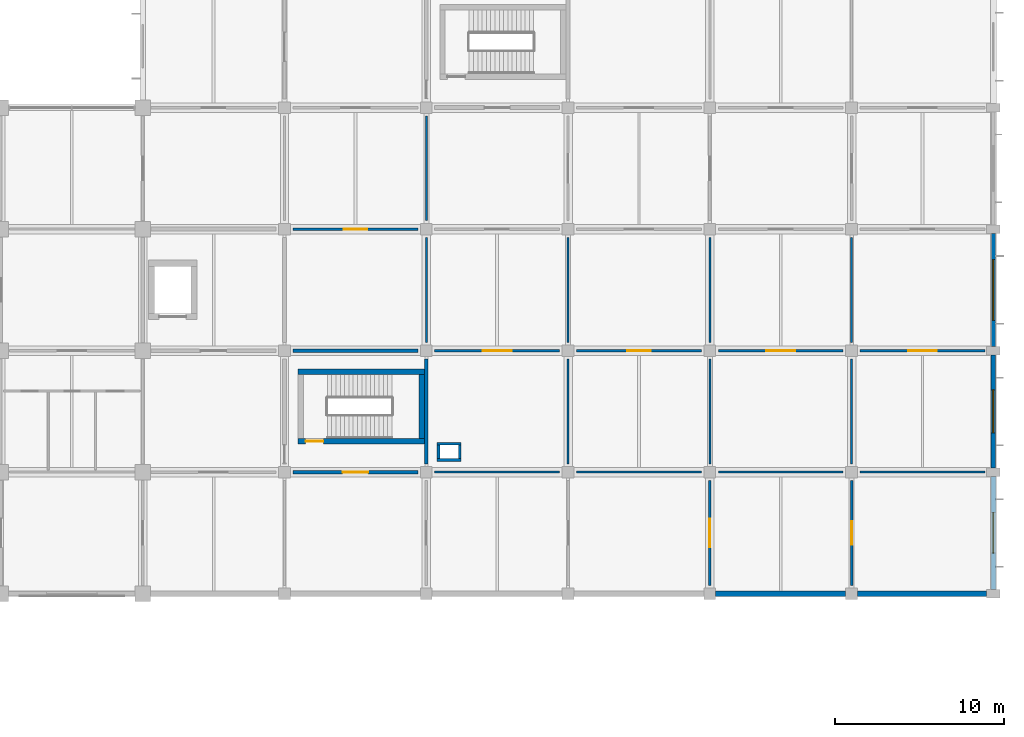
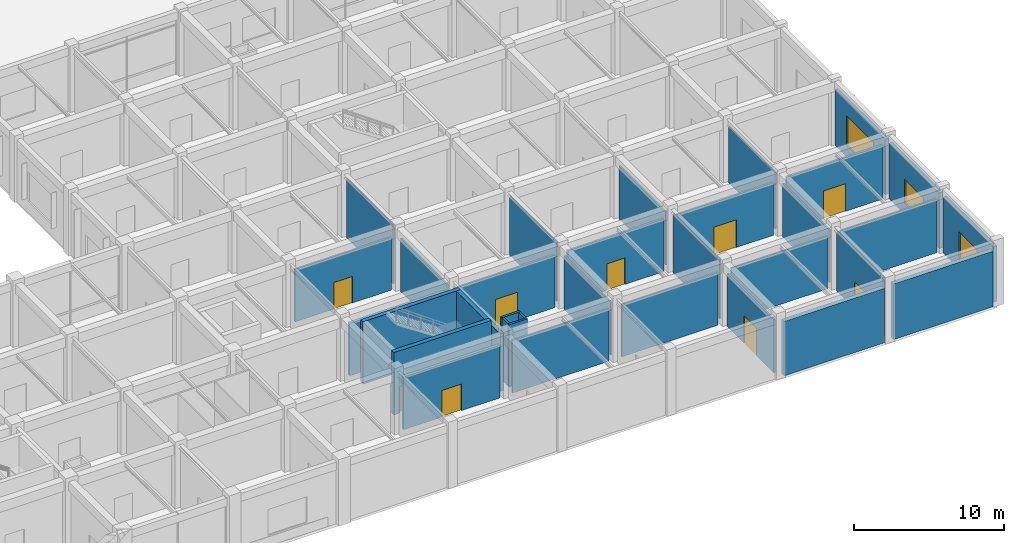
# One storey, part 28 of 41: 34 walls, 9 doors, 3 windows, 12 openings.
"""IFC4 building model written with IfcOpenShell, lengths in metres."""

from ifc_helpers import new_model, si_unit, derived_unit, direction, frame, frame_2d, origin, place, context, subcontext, project, spatial, rectangle, extrude, material, layer, layer_set, type_object, element, fill, save


model = new_model("IFC4")

# Units and contexts
model_context = context("Model", 3, precision=1e-05, world=origin(), true_north=direction((0.0, 1.0)))
body_context = subcontext(model_context, "Body", "Model", "MODEL_VIEW")
ifc_project = project(units=[si_unit("LENGTHUNIT", "METRE"), si_unit("AREAUNIT", "SQUARE_METRE"), si_unit("VOLUMEUNIT", "CUBIC_METRE"), si_unit("PLANEANGLEUNIT", "RADIAN"), si_unit("MASSUNIT", "GRAM", prefix="KILO"), derived_unit("THERMALTRANSMITTANCEUNIT", [(si_unit("MASSUNIT", "GRAM", prefix="KILO"), 1), (si_unit("TIMEUNIT", "SECOND"), -3), (si_unit("THERMODYNAMICTEMPERATUREUNIT", "KELVIN"), -1)])], contexts=[model_context])

# Site, building, storey
site_placement = place(None, origin())
site = spatial("IfcSite", under=ifc_project, at=site_placement, CompositionType="ELEMENT")
building_placement = place(site_placement, origin())
building = spatial("IfcBuilding", under=site, at=building_placement, Name="Veldstrom Oceanarium and Marine Research Institute", CompositionType="ELEMENT")
storey_placement = place(building_placement, frame((0.0, 0.0, 6.0)))
storey = spatial("IfcBuildingStorey", under=building, at=storey_placement, Name="L01", CompositionType="ELEMENT", Elevation=6.0)

# Wall, opening, window
ifc_material_1 = material(Name="Masonry Cavity Wall", Category="masonry")
ifc_layer_1 = layer(ifc_material_1, 0.2900390625)
ifc_layer_set_1 = layer_set([ifc_layer_1], Name="ARC-WAL-EW2")
wall_type_1 = type_object("IfcWallType", Name="ARC-WAL-EW2", PredefinedType="SOLIDWALL", material=ifc_layer_set_1)
wall_1_placement = place(storey_placement, frame((168.0, 43.449951171875, 0.0), z_axis=(0.0, 0.0, 1.0), x_axis=(0.0, 1.0, 0.0)))
wall_1 = element("IfcWall", 1, at=wall_1_placement, inside=storey, type_object=wall_type_1, Name="Exterior Facade Wall EW2 L01-108", PredefinedType="SOLIDWALL", context=body_context, shape_type="SweptSolid", body=[
    extrude(rectangle(XDim=6.699951171875, YDim=0.2900390625, at=frame_2d((3.35009765625, 0.0))), origin(), (0.0, 0.0, 1.0), 4.52001953125),
])
opening_1_placement = place(wall_1_placement, frame((2.14990234375, 0.0, 0.89990234375)))
opening_1 = element("IfcOpeningElement", 2, at=opening_1_placement, cuts=wall_1, Name="Opening W09", PredefinedType="OPENING", context=body_context, shape_type="SweptSolid", body=[
    extrude(rectangle(XDim=2.39990234375, YDim=2.10009765625, at=frame_2d((1.199951171875, 1.050048828125))), frame((0.0, 0.155029296875, 0.0), z_axis=(0.0, -1.0, 0.0), x_axis=(1.0, 0.0, 0.0)), (0.0, 0.0, 1.0), 0.31005859375),
])
ifc_material_2 = material(Name="Double Glazed Low-E IGU", Category="glass")
window_type_1 = type_object("IfcWindowType", Name="ARC-WIN-W09", PartitioningType="SINGLE_PANEL", PredefinedType="WINDOW", material=ifc_material_2)
window_1_placement = place(opening_1_placement, origin())
window_1 = element("IfcWindow", 3, at=window_1_placement, inside=storey, type_object=window_type_1, Name="Facade Window W09 L01-0073", OverallHeight=2.10009765625, OverallWidth=2.39990234375, PartitioningType="SINGLE_PANEL", PredefinedType="WINDOW", context=body_context, shape_type="SweptSolid", body=[
    extrude(rectangle(XDim=2.39990234375, YDim=2.10009765625, at=frame_2d((1.199951171875, 1.050048828125))), frame((0.0, 0.030029296875, 0.0), z_axis=(0.0, -1.0, 0.0), x_axis=(1.0, 0.0, 0.0)), (0.0, 0.0, 1.0), 0.06005859375),
])
fill(opening_1, window_1)

ifc_material_3 = material(Name="Masonry Cavity Wall", Category="masonry")
ifc_layer_2 = layer(ifc_material_3, 0.27001953125)
ifc_layer_set_2 = layer_set([ifc_layer_2], Name="ARC-WAL-EW3")
wall_type_2 = type_object("IfcWallType", Name="ARC-WAL-EW3", PredefinedType="SOLIDWALL", material=ifc_layer_set_2)
wall_2_placement = place(storey_placement, frame((168.0, 50.64990234375, 0.0), z_axis=(0.0, 0.0, 1.0), x_axis=(0.0, 1.0, 0.0)))
wall_2 = element("IfcWall", 4, at=wall_2_placement, inside=storey, type_object=wall_type_2, Name="Exterior Facade Wall EW3 L01-109", PredefinedType="SOLIDWALL", context=body_context, shape_type="SweptSolid", body=[
    extrude(rectangle(XDim=6.7001953125, YDim=0.27001953125, at=frame_2d((3.35009765625, 0.0))), origin(), (0.0, 0.0, 1.0), 4.52001953125),
])
opening_2_placement = place(wall_2_placement, frame((2.074951171875, 0.0, 0.89990234375)))
opening_2 = element("IfcOpeningElement", 5, at=opening_2_placement, cuts=wall_2, Name="Opening W20", PredefinedType="OPENING", context=body_context, shape_type="SweptSolid", body=[
    extrude(rectangle(XDim=2.550048828125, YDim=1.949951171875, at=frame_2d((1.27490234375, 0.97509765625))), frame((0.0, 0.14501953125, 0.0), z_axis=(0.0, -1.0, 0.0), x_axis=(1.0, 0.0, 0.0)), (0.0, 0.0, 1.0), 0.2900390625),
])
ifc_material_4 = material(Name="Double Glazed Low-E IGU", Category="glass")
window_type_2 = type_object("IfcWindowType", Name="ARC-WIN-W20", PartitioningType="SINGLE_PANEL", PredefinedType="WINDOW", material=ifc_material_4)
window_2_placement = place(opening_2_placement, origin())
window_2 = element("IfcWindow", 6, at=window_2_placement, inside=storey, type_object=window_type_2, Name="Facade Window W20 L01-0074", OverallHeight=1.949951171875, OverallWidth=2.550048828125, PartitioningType="SINGLE_PANEL", PredefinedType="WINDOW", context=body_context, shape_type="SweptSolid", body=[
    extrude(rectangle(XDim=2.550048828125, YDim=1.949951171875, at=frame_2d((1.27490234375, 0.97509765625))), frame((0.0, 0.030029296875, 0.0), z_axis=(0.0, -1.0, 0.0), x_axis=(1.0, 0.0, 0.0)), (0.0, 0.0, 1.0), 0.06005859375),
])
fill(opening_2, window_2)

# Walls
ifc_material_5 = material(Name="Masonry Cavity Wall", Category="masonry")
ifc_layer_3 = layer(ifc_material_5, 0.340087890625)
ifc_layer_set_3 = layer_set([ifc_layer_3], Name="ARC-WAL-EW4")
wall_type_3 = type_object("IfcWallType", Name="ARC-WAL-EW4", PredefinedType="SOLIDWALL", material=ifc_layer_set_3)
wall_3_placement = place(storey_placement, frame((151.550048828125, 43.199951171875, 0.0), z_axis=(0.0, 0.0, 1.0), x_axis=(1.0, 0.0, 0.0)))
element("IfcWall", 7, at=wall_3_placement, inside=storey, type_object=wall_type_3, Name="Exterior Facade Wall EW4 L01-105", PredefinedType="SOLIDWALL", context=body_context, shape_type="SweptSolid", body=[
    extrude(rectangle(XDim=7.699951171875, YDim=0.340087890625, at=frame_2d((3.85009765625, 0.0))), origin(), (0.0, 0.0, 1.0), 4.419921875),
])
wall_4_placement = place(storey_placement, frame((159.949951171875, 43.199951171875, 0.0), z_axis=(0.0, 0.0, 1.0), x_axis=(1.0, 0.0, 0.0)))
element("IfcWall", 8, at=wall_4_placement, inside=storey, type_object=wall_type_3, Name="Exterior Facade Wall EW4 L01-107", PredefinedType="SOLIDWALL", context=body_context, shape_type="SweptSolid", body=[
    extrude(rectangle(XDim=7.650146484375, YDim=0.340087890625, at=frame_2d((3.8251953125, 0.0))), origin(), (0.0, 0.0, 1.0), 4.52001953125),
])

# Wall, opening, window
ifc_material_6 = material(Name="Masonry Cavity Wall", Category="masonry")
ifc_layer_4 = layer(ifc_material_6, 0.25)
ifc_layer_set_4 = layer_set([ifc_layer_4], Name="ARC-WAL-EW5")
wall_type_4 = type_object("IfcWallType", Name="ARC-WAL-EW5", PredefinedType="SOLIDWALL", material=ifc_layer_set_4)
wall_5_placement = place(storey_placement, frame((168.0, 57.85009765625, 0.0), z_axis=(0.0, 0.0, 1.0), x_axis=(0.0, 1.0, 0.0)))
wall_5 = element("IfcWall", 9, at=wall_5_placement, inside=storey, type_object=wall_type_4, Name="Exterior Facade Wall EW5 L01-110", PredefinedType="SOLIDWALL", context=body_context, shape_type="SweptSolid", body=[
    extrude(rectangle(XDim=6.699951171875, YDim=0.25, at=frame_2d((3.35009765625, 0.0))), origin(), (0.0, 0.0, 1.0), 4.52001953125),
])
opening_3_placement = place(wall_5_placement, frame((1.550048828125, 0.0, 0.89990234375)))
opening_3 = element("IfcOpeningElement", 10, at=opening_3_placement, cuts=wall_5, Name="Opening W11", PredefinedType="OPENING", context=body_context, shape_type="SweptSolid", body=[
    extrude(rectangle(XDim=3.60009765625, YDim=2.39990234375, at=frame_2d((1.800048828125, 1.199951171875))), frame((0.0, 0.135009765625, 0.0), z_axis=(0.0, -1.0, 0.0), x_axis=(1.0, 0.0, 0.0)), (0.0, 0.0, 1.0), 0.27001953125),
])
ifc_material_7 = material(Name="Double Glazed Low-E IGU", Category="glass")
window_type_3 = type_object("IfcWindowType", Name="ARC-WIN-W11", PartitioningType="SINGLE_PANEL", PredefinedType="WINDOW", material=ifc_material_7)
window_3_placement = place(opening_3_placement, origin())
window_3 = element("IfcWindow", 11, at=window_3_placement, inside=storey, type_object=window_type_3, Name="Facade Window W11 L01-0075", OverallHeight=2.39990234375, OverallWidth=3.60009765625, PartitioningType="SINGLE_PANEL", PredefinedType="WINDOW", context=body_context, shape_type="SweptSolid", body=[
    extrude(rectangle(XDim=3.60009765625, YDim=2.39990234375, at=frame_2d((1.800048828125, 1.199951171875))), frame((0.0, 0.030029296875, 0.0), z_axis=(0.0, -1.0, 0.0), x_axis=(1.0, 0.0, 0.0)), (0.0, 0.0, 1.0), 0.06005859375),
])
fill(opening_3, window_3)

# Wall, opening, door
ifc_material_8 = material(Name="Masonry Fire Compartment Wall", Category="masonry")
ifc_layer_5 = layer(ifc_material_8, 0.22998046875)
ifc_layer_set_5 = layer_set([ifc_layer_5], Name="ARC-WAL-PT1")
wall_type_5 = type_object("IfcWallType", Name="ARC-WAL-PT1", PredefinedType="PARTITIONING", material=ifc_layer_set_5)
wall_6_placement = place(storey_placement, frame((126.5, 50.39990234375, 0.0), z_axis=(0.0, 0.0, 1.0), x_axis=(1.0, 0.0, 0.0)))
wall_6 = element("IfcWall", 12, at=wall_6_placement, inside=storey, type_object=wall_type_5, Name="Interior Partition PT1 L01-0999", PredefinedType="PARTITIONING", context=body_context, shape_type="SweptSolid", body=[
    extrude(rectangle(XDim=7.39990234375, YDim=0.22998046875, at=frame_2d((3.699951171875, 0.0))), origin(), (0.0, 0.0, 1.0), 4.27001953125),
])
opening_4_placement = place(wall_6_placement, frame((2.949951171875, 0.0, 0.0)))
opening_4 = element("IfcOpeningElement", 13, at=opening_4_placement, cuts=wall_6, Name="Opening D-L01-580", PredefinedType="OPENING", context=body_context, shape_type="SweptSolid", body=[
    extrude(rectangle(XDim=1.5, YDim=2.14990234375, at=frame_2d((0.75, 1.074951171875))), frame((0.0, 0.125, 0.0), z_axis=(0.0, -1.0, 0.0), x_axis=(1.0, 0.0, 0.0)), (0.0, 0.0, 1.0), 0.25),
])
ifc_material_9 = material(Name="Painted Steel Lobby Fire Door", Category="steel")
door_type_1 = type_object("IfcDoorType", Name="ARC-DOR-SD2", OperationType="DOUBLE_DOOR_SINGLE_SWING", PredefinedType="DOOR", material=ifc_material_9)
door_1_placement = place(opening_4_placement, frame((1.5, 0.0, 0.0), z_axis=(0.0, 0.0, 1.0), x_axis=(-1.0, 0.0, 0.0)))
door_1 = element("IfcDoor", 14, at=door_1_placement, inside=storey, type_object=door_type_1, Name="Interior Door D-L01-580", OperationType="DOUBLE_DOOR_SINGLE_SWING", OverallHeight=2.14990234375, OverallWidth=1.5, PredefinedType="DOOR", context=body_context, shape_type="SweptSolid", body=[
    extrude(rectangle(XDim=1.5, YDim=2.14990234375, at=frame_2d((0.75, 1.074951171875))), frame((0.0, 0.02490234375, 0.0), z_axis=(0.0, -1.0, 0.0), x_axis=(1.0, 0.0, 0.0)), (0.0, 0.0, 1.0), 0.050048828125),
])
fill(opening_4, door_1)

# Walls
wall_7_placement = place(storey_placement, frame((134.39990234375, 50.89990234375, 0.0), z_axis=(0.0, 0.0, 1.0), x_axis=(0.0, 1.0, 0.0)))
element("IfcWall", 15, at=wall_7_placement, inside=storey, type_object=wall_type_5, Name="Interior Partition PT1 L01-1000", PredefinedType="PARTITIONING", context=body_context, shape_type="SweptSolid", body=[
    extrude(rectangle(XDim=6.2001953125, YDim=0.22998046875, at=frame_2d((3.10009765625, 0.0))), origin(), (0.0, 0.0, 1.0), 4.669921875),
])
wall_8_placement = place(storey_placement, frame((126.5, 57.60009765625, 0.0), z_axis=(0.0, 0.0, 1.0), x_axis=(1.0, 0.0, 0.0)))
element("IfcWall", 16, at=wall_8_placement, inside=storey, type_object=wall_type_5, Name="Interior Partition PT1 L01-1001", PredefinedType="PARTITIONING", context=body_context, shape_type="SweptSolid", body=[
    extrude(rectangle(XDim=7.39990234375, YDim=0.22998046875, at=frame_2d((3.699951171875, 0.0))), origin(), (0.0, 0.0, 1.0), 4.27001953125),
])

# Wall, opening, door
ifc_material_10 = material(Name="Drywall Corridor Partition", Category="gypsum")
ifc_layer_6 = layer(ifc_material_10, 0.155029296875)
ifc_layer_set_6 = layer_set([ifc_layer_6], Name="ARC-WAL-PT4")
wall_type_6 = type_object("IfcWallType", Name="ARC-WAL-PT4", PredefinedType="PARTITIONING", material=ifc_layer_set_6)
wall_9_placement = place(storey_placement, frame((143.300048828125, 57.60009765625, 0.0), z_axis=(0.0, 0.0, 1.0), x_axis=(1.0, 0.0, 0.0)))
wall_9 = element("IfcWall", 17, at=wall_9_placement, inside=storey, type_object=wall_type_6, Name="Interior Partition PT4 L01-1027", PredefinedType="PARTITIONING", context=body_context, shape_type="SweptSolid", body=[
    extrude(rectangle(XDim=7.39990234375, YDim=0.155029296875, at=frame_2d((3.699951171875, 0.0))), origin(), (0.0, 0.0, 1.0), 4.27001953125),
])
opening_5_placement = place(wall_9_placement, frame((3.0, 0.0, 0.0)))
opening_5 = element("IfcOpeningElement", 18, at=opening_5_placement, cuts=wall_9, Name="Opening D-L01-595", PredefinedType="OPENING", context=body_context, shape_type="SweptSolid", body=[
    extrude(rectangle(XDim=1.39990234375, YDim=2.14990234375, at=frame_2d((0.699951171875, 1.074951171875))), frame((0.0, 0.08740234375, 0.0), z_axis=(0.0, -1.0, 0.0), x_axis=(1.0, 0.0, 0.0)), (0.0, 0.0, 1.0), 0.175048828125),
])
ifc_material_11 = material(Name="Education Classroom Door", Category="timber")
door_type_2 = type_object("IfcDoorType", Name="ARC-DOR-ID04", OperationType="DOUBLE_DOOR_SINGLE_SWING", PredefinedType="DOOR", material=ifc_material_11)
door_2_placement = place(opening_5_placement, frame((1.39990234375, 0.0, 0.0), z_axis=(0.0, 0.0, 1.0), x_axis=(-1.0, 0.0, 0.0)))
door_2 = element("IfcDoor", 19, at=door_2_placement, inside=storey, type_object=door_type_2, Name="Interior Door D-L01-595", OperationType="DOUBLE_DOOR_SINGLE_SWING", OverallHeight=2.14990234375, OverallWidth=1.39990234375, PredefinedType="DOOR", context=body_context, shape_type="SweptSolid", body=[
    extrude(rectangle(XDim=1.39990234375, YDim=2.14990234375, at=frame_2d((0.699951171875, 1.074951171875))), frame((0.0, 0.02490234375, 0.0), z_axis=(0.0, -1.0, 0.0), x_axis=(1.0, 0.0, 0.0)), (0.0, 0.0, 1.0), 0.050048828125),
])
fill(opening_5, door_2)

wall_10_placement = place(storey_placement, frame((159.60009765625, 43.699951171875, 0.0), z_axis=(0.0, 0.0, 1.0), x_axis=(0.0, 1.0, 0.0)))
wall_10 = element("IfcWall", 20, at=wall_10_placement, inside=storey, type_object=wall_type_6, Name="Interior Partition PT4 L01-1037", PredefinedType="PARTITIONING", context=body_context, shape_type="SweptSolid", body=[
    extrude(rectangle(XDim=6.199951171875, YDim=0.155029296875, at=frame_2d((3.10009765625, 0.0))), origin(), (0.0, 0.0, 1.0), 4.780029296875),
])
opening_6_placement = place(wall_10_placement, frame((2.39990234375, 0.0, 0.0)))
opening_6 = element("IfcOpeningElement", 21, at=opening_6_placement, cuts=wall_10, Name="Opening D-L01-601", PredefinedType="OPENING", context=body_context, shape_type="SweptSolid", body=[
    extrude(rectangle(XDim=1.39990234375, YDim=2.14990234375, at=frame_2d((0.699951171875, 1.074951171875))), frame((0.0, 0.08740234375, 0.0), z_axis=(0.0, -1.0, 0.0), x_axis=(1.0, 0.0, 0.0)), (0.0, 0.0, 1.0), 0.175048828125),
])
door_3_placement = place(opening_6_placement, origin())
door_3 = element("IfcDoor", 22, at=door_3_placement, inside=storey, type_object=door_type_2, Name="Interior Door D-L01-601", OperationType="DOUBLE_DOOR_SINGLE_SWING", OverallHeight=2.14990234375, OverallWidth=1.39990234375, PredefinedType="DOOR", context=body_context, shape_type="SweptSolid", body=[
    extrude(rectangle(XDim=1.39990234375, YDim=2.14990234375, at=frame_2d((0.699951171875, 1.074951171875))), frame((0.0, 0.02490234375, 0.0), z_axis=(0.0, -1.0, 0.0), x_axis=(1.0, 0.0, 0.0)), (0.0, 0.0, 1.0), 0.050048828125),
])
fill(opening_6, door_3)

wall_11_placement = place(storey_placement, frame((160.10009765625, 57.60009765625, 0.0), z_axis=(0.0, 0.0, 1.0), x_axis=(1.0, 0.0, 0.0)))
wall_11 = element("IfcWall", 23, at=wall_11_placement, inside=storey, type_object=wall_type_6, Name="Interior Partition PT4 L01-1051", PredefinedType="PARTITIONING", context=body_context, shape_type="SweptSolid", body=[
    extrude(rectangle(XDim=7.39990234375, YDim=0.155029296875, at=frame_2d((3.699951171875, 0.0))), origin(), (0.0, 0.0, 1.0), 4.3701171875),
])
opening_7_placement = place(wall_11_placement, frame((2.85009765625, 0.0, 0.0)))
opening_7 = element("IfcOpeningElement", 24, at=opening_7_placement, cuts=wall_11, Name="Opening D-L01-608", PredefinedType="OPENING", context=body_context, shape_type="SweptSolid", body=[
    extrude(rectangle(XDim=1.699951171875, YDim=2.25, at=frame_2d((0.85009765625, 1.125))), frame((0.0, 0.08740234375, 0.0), z_axis=(0.0, -1.0, 0.0), x_axis=(1.0, 0.0, 0.0)), (0.0, 0.0, 1.0), 0.175048828125),
])
ifc_material_12 = material(Name="Symposium Auditorium Door", Category="timber")
door_type_3 = type_object("IfcDoorType", Name="ARC-DOR-ID13", OperationType="DOUBLE_DOOR_SINGLE_SWING", PredefinedType="DOOR", material=ifc_material_12)
door_4_placement = place(opening_7_placement, frame((1.699951171875, 0.0, 0.0), z_axis=(0.0, 0.0, 1.0), x_axis=(-1.0, 0.0, 0.0)))
door_4 = element("IfcDoor", 25, at=door_4_placement, inside=storey, type_object=door_type_3, Name="Interior Door D-L01-608", OperationType="DOUBLE_DOOR_SINGLE_SWING", OverallHeight=2.25, OverallWidth=1.699951171875, PredefinedType="DOOR", context=body_context, shape_type="SweptSolid", body=[
    extrude(rectangle(XDim=1.699951171875, YDim=2.25, at=frame_2d((0.85009765625, 1.125))), frame((0.0, 0.02490234375, 0.0), z_axis=(0.0, -1.0, 0.0), x_axis=(1.0, 0.0, 0.0)), (0.0, 0.0, 1.0), 0.050048828125),
])
fill(opening_7, door_4)

ifc_material_13 = material(Name="Moisture-Resistant Wet-Area Partition", Category="masonry")
ifc_layer_7 = layer(ifc_material_13, 0.139892578125)
ifc_layer_set_7 = layer_set([ifc_layer_7], Name="ARC-WAL-PT5")
wall_type_7 = type_object("IfcWallType", Name="ARC-WAL-PT5", PredefinedType="PARTITIONING", material=ifc_layer_set_7)
wall_12_placement = place(storey_placement, frame((126.5, 64.800048828125, 0.0), z_axis=(0.0, 0.0, 1.0), x_axis=(1.0, 0.0, 0.0)))
wall_12 = element("IfcWall", 26, at=wall_12_placement, inside=storey, type_object=wall_type_7, Name="Interior Partition PT5 L01-1003", PredefinedType="PARTITIONING", context=body_context, shape_type="SweptSolid", body=[
    extrude(rectangle(XDim=7.39990234375, YDim=0.139892578125, at=frame_2d((3.699951171875, 0.0))), origin(), (0.0, 0.0, 1.0), 4.27001953125),
])
opening_8_placement = place(wall_12_placement, frame((3.0, 0.0, 0.0)))
opening_8 = element("IfcOpeningElement", 27, at=opening_8_placement, cuts=wall_12, Name="Opening D-L01-581", PredefinedType="OPENING", context=body_context, shape_type="SweptSolid", body=[
    extrude(rectangle(XDim=1.39990234375, YDim=2.14990234375, at=frame_2d((0.699951171875, 1.074951171875))), frame((0.0, 0.079833984375, 0.0), z_axis=(0.0, -1.0, 0.0), x_axis=(1.0, 0.0, 0.0)), (0.0, 0.0, 1.0), 0.159912109375),
])
door_5_placement = place(opening_8_placement, origin())
door_5 = element("IfcDoor", 28, at=door_5_placement, inside=storey, type_object=door_type_2, Name="Interior Door D-L01-581", OperationType="DOUBLE_DOOR_SINGLE_SWING", OverallHeight=2.14990234375, OverallWidth=1.39990234375, PredefinedType="DOOR", context=body_context, shape_type="SweptSolid", body=[
    extrude(rectangle(XDim=1.39990234375, YDim=2.14990234375, at=frame_2d((0.699951171875, 1.074951171875))), frame((0.0, 0.02490234375, 0.0), z_axis=(0.0, -1.0, 0.0), x_axis=(1.0, 0.0, 0.0)), (0.0, 0.0, 1.0), 0.050048828125),
])
fill(opening_8, door_5)

wall_13_placement = place(storey_placement, frame((134.89990234375, 57.60009765625, 0.0), z_axis=(0.0, 0.0, 1.0), x_axis=(1.0, 0.0, 0.0)))
wall_13 = element("IfcWall", 29, at=wall_13_placement, inside=storey, type_object=wall_type_7, Name="Interior Partition PT5 L01-1014", PredefinedType="PARTITIONING", context=body_context, shape_type="SweptSolid", body=[
    extrude(rectangle(XDim=7.400146484375, YDim=0.139892578125, at=frame_2d((3.7001953125, 0.0))), origin(), (0.0, 0.0, 1.0), 4.27001953125),
])
opening_9_placement = place(wall_13_placement, frame((2.85009765625, 0.0, 0.0)))
opening_9 = element("IfcOpeningElement", 30, at=opening_9_placement, cuts=wall_13, Name="Opening D-L01-588", PredefinedType="OPENING", context=body_context, shape_type="SweptSolid", body=[
    extrude(rectangle(XDim=1.699951171875, YDim=2.25, at=frame_2d((0.85009765625, 1.125))), frame((0.0, 0.079833984375, 0.0), z_axis=(0.0, -1.0, 0.0), x_axis=(1.0, 0.0, 0.0)), (0.0, 0.0, 1.0), 0.159912109375),
])
door_6_placement = place(opening_9_placement, origin())
door_6 = element("IfcDoor", 31, at=door_6_placement, inside=storey, type_object=door_type_3, Name="Interior Door D-L01-588", OperationType="DOUBLE_DOOR_SINGLE_SWING", OverallHeight=2.25, OverallWidth=1.699951171875, PredefinedType="DOOR", context=body_context, shape_type="SweptSolid", body=[
    extrude(rectangle(XDim=1.699951171875, YDim=2.25, at=frame_2d((0.85009765625, 1.125))), frame((0.0, 0.02490234375, 0.0), z_axis=(0.0, -1.0, 0.0), x_axis=(1.0, 0.0, 0.0)), (0.0, 0.0, 1.0), 0.050048828125),
])
fill(opening_9, door_6)

wall_14_placement = place(storey_placement, frame((151.199951171875, 43.699951171875, 0.0), z_axis=(0.0, 0.0, 1.0), x_axis=(0.0, 1.0, 0.0)))
wall_14 = element("IfcWall", 32, at=wall_14_placement, inside=storey, type_object=wall_type_7, Name="Interior Partition PT5 L01-1024", PredefinedType="PARTITIONING", context=body_context, shape_type="SweptSolid", body=[
    extrude(rectangle(XDim=6.199951171875, YDim=0.139892578125, at=frame_2d((3.10009765625, 0.0))), origin(), (0.0, 0.0, 1.0), 4.320068359375),
])
opening_10_placement = place(wall_14_placement, frame((2.25, 0.0, 0.0)))
opening_10 = element("IfcOpeningElement", 33, at=opening_10_placement, cuts=wall_14, Name="Opening D-L01-594", PredefinedType="OPENING", context=body_context, shape_type="SweptSolid", body=[
    extrude(rectangle(XDim=1.699951171875, YDim=2.25, at=frame_2d((0.85009765625, 1.125))), frame((0.0, 0.079833984375, 0.0), z_axis=(0.0, -1.0, 0.0), x_axis=(1.0, 0.0, 0.0)), (0.0, 0.0, 1.0), 0.159912109375),
])
door_7_placement = place(opening_10_placement, frame((1.699951171875, 0.0, 0.0), z_axis=(0.0, 0.0, 1.0), x_axis=(-1.0, 0.0, 0.0)))
door_7 = element("IfcDoor", 34, at=door_7_placement, inside=storey, type_object=door_type_3, Name="Interior Door D-L01-594", OperationType="DOUBLE_DOOR_SINGLE_SWING", OverallHeight=2.25, OverallWidth=1.699951171875, PredefinedType="DOOR", context=body_context, shape_type="SweptSolid", body=[
    extrude(rectangle(XDim=1.699951171875, YDim=2.25, at=frame_2d((0.85009765625, 1.125))), frame((0.0, 0.02490234375, 0.0), z_axis=(0.0, -1.0, 0.0), x_axis=(1.0, 0.0, 0.0)), (0.0, 0.0, 1.0), 0.050048828125),
])
fill(opening_10, door_7)

wall_15_placement = place(storey_placement, frame((151.699951171875, 57.60009765625, 0.0), z_axis=(0.0, 0.0, 1.0), x_axis=(1.0, 0.0, 0.0)))
wall_15 = element("IfcWall", 35, at=wall_15_placement, inside=storey, type_object=wall_type_7, Name="Interior Partition PT5 L01-1040", PredefinedType="PARTITIONING", context=body_context, shape_type="SweptSolid", body=[
    extrude(rectangle(XDim=7.400146484375, YDim=0.139892578125, at=frame_2d((3.7001953125, 0.0))), origin(), (0.0, 0.0, 1.0), 4.27001953125),
])
opening_11_placement = place(wall_15_placement, frame((2.85009765625, 0.0, 0.0)))
opening_11 = element("IfcOpeningElement", 36, at=opening_11_placement, cuts=wall_15, Name="Opening D-L01-602", PredefinedType="OPENING", context=body_context, shape_type="SweptSolid", body=[
    extrude(rectangle(XDim=1.699951171875, YDim=2.25, at=frame_2d((0.85009765625, 1.125))), frame((0.0, 0.079833984375, 0.0), z_axis=(0.0, -1.0, 0.0), x_axis=(1.0, 0.0, 0.0)), (0.0, 0.0, 1.0), 0.159912109375),
])
door_8_placement = place(opening_11_placement, origin())
door_8 = element("IfcDoor", 37, at=door_8_placement, inside=storey, type_object=door_type_3, Name="Interior Door D-L01-602", OperationType="DOUBLE_DOOR_SINGLE_SWING", OverallHeight=2.25, OverallWidth=1.699951171875, PredefinedType="DOOR", context=body_context, shape_type="SweptSolid", body=[
    extrude(rectangle(XDim=1.699951171875, YDim=2.25, at=frame_2d((0.85009765625, 1.125))), frame((0.0, 0.02490234375, 0.0), z_axis=(0.0, -1.0, 0.0), x_axis=(1.0, 0.0, 0.0)), (0.0, 0.0, 1.0), 0.050048828125),
])
fill(opening_11, door_8)

# Walls
ifc_material_14 = material(Name="Lightweight Studio Partition", Category="gypsum")
ifc_layer_8 = layer(ifc_material_14, 0.1201171875)
ifc_layer_set_8 = layer_set([ifc_layer_8], Name="ARC-WAL-PT6")
wall_type_8 = type_object("IfcWallType", Name="ARC-WAL-PT6", PredefinedType="PARTITIONING", material=ifc_layer_set_8)
wall_16_placement = place(storey_placement, frame((134.39990234375, 58.10009765625, 0.0), z_axis=(0.0, 0.0, 1.0), x_axis=(0.0, 1.0, 0.0)))
element("IfcWall", 38, at=wall_16_placement, inside=storey, type_object=wall_type_8, Name="Interior Partition PT6 L01-1002", PredefinedType="PARTITIONING", context=body_context, shape_type="SweptSolid", body=[
    extrude(rectangle(XDim=6.199951171875, YDim=0.1201171875, at=frame_2d((3.10009765625, 0.0))), origin(), (0.0, 0.0, 1.0), 4.320068359375),
])
wall_17_placement = place(storey_placement, frame((134.39990234375, 65.300048828125, 0.0), z_axis=(0.0, 0.0, 1.0), x_axis=(0.0, 1.0, 0.0)))
element("IfcWall", 39, at=wall_17_placement, inside=storey, type_object=wall_type_8, Name="Interior Partition PT6 L01-1004", PredefinedType="PARTITIONING", context=body_context, shape_type="SweptSolid", body=[
    extrude(rectangle(XDim=6.199951171875, YDim=0.1201171875, at=frame_2d((3.10009765625, 0.0))), origin(), (0.0, 0.0, 1.0), 4.780029296875),
])
wall_18_placement = place(storey_placement, frame((134.89990234375, 50.39990234375, 0.0), z_axis=(0.0, 0.0, 1.0), x_axis=(1.0, 0.0, 0.0)))
element("IfcWall", 40, at=wall_18_placement, inside=storey, type_object=wall_type_8, Name="Interior Partition PT6 L01-1012", PredefinedType="PARTITIONING", context=body_context, shape_type="SweptSolid", body=[
    extrude(rectangle(XDim=7.400146484375, YDim=0.1201171875, at=frame_2d((3.7001953125, 0.0))), origin(), (0.0, 0.0, 1.0), 4.27001953125),
])
wall_19_placement = place(storey_placement, frame((142.800048828125, 50.89990234375, 0.0), z_axis=(0.0, 0.0, 1.0), x_axis=(0.0, 1.0, 0.0)))
element("IfcWall", 41, at=wall_19_placement, inside=storey, type_object=wall_type_8, Name="Interior Partition PT6 L01-1013", PredefinedType="PARTITIONING", context=body_context, shape_type="SweptSolid", body=[
    extrude(rectangle(XDim=6.2001953125, YDim=0.1201171875, at=frame_2d((3.10009765625, 0.0))), origin(), (0.0, 0.0, 1.0), 4.320068359375),
])
wall_20_placement = place(storey_placement, frame((142.800048828125, 58.10009765625, 0.0), z_axis=(0.0, 0.0, 1.0), x_axis=(0.0, 1.0, 0.0)))
element("IfcWall", 42, at=wall_20_placement, inside=storey, type_object=wall_type_8, Name="Interior Partition PT6 L01-1015", PredefinedType="PARTITIONING", context=body_context, shape_type="SweptSolid", body=[
    extrude(rectangle(XDim=6.199951171875, YDim=0.1201171875, at=frame_2d((3.10009765625, 0.0))), origin(), (0.0, 0.0, 1.0), 4.780029296875),
])
wall_21_placement = place(storey_placement, frame((143.300048828125, 50.39990234375, 0.0), z_axis=(0.0, 0.0, 1.0), x_axis=(1.0, 0.0, 0.0)))
element("IfcWall", 43, at=wall_21_placement, inside=storey, type_object=wall_type_8, Name="Interior Partition PT6 L01-1025", PredefinedType="PARTITIONING", context=body_context, shape_type="SweptSolid", body=[
    extrude(rectangle(XDim=7.39990234375, YDim=0.1201171875, at=frame_2d((3.699951171875, 0.0))), origin(), (0.0, 0.0, 1.0), 4.27001953125),
])
wall_22_placement = place(storey_placement, frame((151.199951171875, 50.89990234375, 0.0), z_axis=(0.0, 0.0, 1.0), x_axis=(0.0, 1.0, 0.0)))
element("IfcWall", 44, at=wall_22_placement, inside=storey, type_object=wall_type_8, Name="Interior Partition PT6 L01-1026", PredefinedType="PARTITIONING", context=body_context, shape_type="SweptSolid", body=[
    extrude(rectangle(XDim=6.2001953125, YDim=0.1201171875, at=frame_2d((3.10009765625, 0.0))), origin(), (0.0, 0.0, 1.0), 4.780029296875),
])
wall_23_placement = place(storey_placement, frame((151.199951171875, 58.10009765625, 0.0), z_axis=(0.0, 0.0, 1.0), x_axis=(0.0, 1.0, 0.0)))
element("IfcWall", 45, at=wall_23_placement, inside=storey, type_object=wall_type_8, Name="Interior Partition PT6 L01-1028", PredefinedType="PARTITIONING", context=body_context, shape_type="SweptSolid", body=[
    extrude(rectangle(XDim=6.199951171875, YDim=0.1201171875, at=frame_2d((3.10009765625, 0.0))), origin(), (0.0, 0.0, 1.0), 4.320068359375),
])
wall_24_placement = place(storey_placement, frame((151.699951171875, 50.39990234375, 0.0), z_axis=(0.0, 0.0, 1.0), x_axis=(1.0, 0.0, 0.0)))
element("IfcWall", 46, at=wall_24_placement, inside=storey, type_object=wall_type_8, Name="Interior Partition PT6 L01-1038", PredefinedType="PARTITIONING", context=body_context, shape_type="SweptSolid", body=[
    extrude(rectangle(XDim=7.400146484375, YDim=0.1201171875, at=frame_2d((3.7001953125, 0.0))), origin(), (0.0, 0.0, 1.0), 4.27001953125),
])
wall_25_placement = place(storey_placement, frame((159.60009765625, 50.89990234375, 0.0), z_axis=(0.0, 0.0, 1.0), x_axis=(0.0, 1.0, 0.0)))
element("IfcWall", 47, at=wall_25_placement, inside=storey, type_object=wall_type_8, Name="Interior Partition PT6 L01-1039", PredefinedType="PARTITIONING", context=body_context, shape_type="SweptSolid", body=[
    extrude(rectangle(XDim=6.2001953125, YDim=0.1201171875, at=frame_2d((3.10009765625, 0.0))), origin(), (0.0, 0.0, 1.0), 4.320068359375),
])
wall_26_placement = place(storey_placement, frame((159.60009765625, 58.10009765625, 0.0), z_axis=(0.0, 0.0, 1.0), x_axis=(0.0, 1.0, 0.0)))
element("IfcWall", 48, at=wall_26_placement, inside=storey, type_object=wall_type_8, Name="Interior Partition PT6 L01-1041", PredefinedType="PARTITIONING", context=body_context, shape_type="SweptSolid", body=[
    extrude(rectangle(XDim=6.199951171875, YDim=0.1201171875, at=frame_2d((3.10009765625, 0.0))), origin(), (0.0, 0.0, 1.0), 4.570068359375),
])
wall_27_placement = place(storey_placement, frame((160.10009765625, 50.39990234375, 0.0), z_axis=(0.0, 0.0, 1.0), x_axis=(1.0, 0.0, 0.0)))
element("IfcWall", 49, at=wall_27_placement, inside=storey, type_object=wall_type_8, Name="Interior Partition PT6 L01-1050", PredefinedType="PARTITIONING", context=body_context, shape_type="SweptSolid", body=[
    extrude(rectangle(XDim=7.39990234375, YDim=0.1201171875, at=frame_2d((3.699951171875, 0.0))), origin(), (0.0, 0.0, 1.0), 4.3701171875),
])
ifc_material_15 = material(Name="Service Riser Fire Shaft Wall", Category="masonry")
ifc_layer_9 = layer(ifc_material_15, 0.1650390625)
ifc_layer_set_9 = layer_set([ifc_layer_9], Name="ARC-WAL-PT9")
wall_type_9 = type_object("IfcWallType", Name="ARC-WAL-PT9", PredefinedType="PARTITIONING", material=ifc_layer_set_9)
for number, where, z_axis, x_axis, name in (
    (50, (135.034912109375, 51.117431640625, 0.0), (0.0, 0.0, 1.0), (1.0, 0.0, 0.0), "Service Riser Fire Shaft Wall L01-ES-S"),
    (51, (135.034912109375, 52.08251953125, 0.0), (0.0, 0.0, 1.0), (1.0, 0.0, 0.0), "Service Riser Fire Shaft Wall L01-ES-N"),
):
    element("IfcWall", number, at=place(storey_placement, frame(where, z_axis=z_axis, x_axis=x_axis)), inside=storey, type_object=wall_type_9, Name=name, PredefinedType="PARTITIONING", context=body_context, shape_type="SweptSolid", body=[
        extrude(rectangle(XDim=1.43017578125, YDim=0.1650390625, at=frame_2d((0.715087890625, 0.0))), origin(), (0.0, 0.0, 1.0), 5.074951171875),
    ])
for number, where, z_axis, x_axis, name in (
    (52, (135.117431640625, 51.199951171875, 0.0), (0.0, 0.0, 1.0), (0.0, 1.0, 0.0), "Service Riser Fire Shaft Wall L01-ES-W"),
    (53, (136.382568359375, 51.199951171875, 0.0), (0.0, 0.0, 1.0), (0.0, 1.0, 0.0), "Service Riser Fire Shaft Wall L01-ES-E"),
):
    element("IfcWall", number, at=place(storey_placement, frame(where, z_axis=z_axis, x_axis=x_axis)), inside=storey, type_object=wall_type_9, Name=name, PredefinedType="PARTITIONING", context=body_context, shape_type="SweptSolid", body=[
        extrude(rectangle(XDim=0.800048828125, YDim=0.1650390625, at=frame_2d((0.39990234375, 0.0))), origin(), (0.0, 0.0, 1.0), 5.074951171875),
    ])

# Wall, opening, door
ifc_material_16 = material(Name="Concrete C40/50", Category="concrete")
ifc_layer_10 = layer(ifc_material_16, 0.320068359375)
ifc_layer_set_10 = layer_set([ifc_layer_10], Name="STR-WAL-WC3")
wall_type_10 = type_object("IfcWallType", Name="STR-WAL-WC3", PredefinedType="SHEAR", material=ifc_layer_set_10)
wall_28_placement = place(storey_placement, frame((126.800048828125, 52.239990234375, 0.0), z_axis=(0.0, 0.0, 1.0), x_axis=(1.0, 0.0, 0.0)))
wall_28 = element("IfcWall", 54, at=wall_28_placement, inside=storey, type_object=wall_type_10, Name="Stair Core Shear Wall SC4-L01-S", PredefinedType="SHEAR", context=body_context, shape_type="SweptSolid", body=[
    extrude(rectangle(XDim=7.47998046875, YDim=0.320068359375, at=frame_2d((3.739990234375, 0.0))), origin(), (0.0, 0.0, 1.0), 5.074951171875),
])
opening_12_placement = place(wall_28_placement, frame((0.449951171875, 0.0, 0.0)))
opening_12 = element("IfcOpeningElement", 55, at=opening_12_placement, cuts=wall_28, Name="Opening D-ST4-L01", PredefinedType="OPENING", context=body_context, shape_type="SweptSolid", body=[
    extrude(rectangle(XDim=1.050048828125, YDim=2.14990234375, at=frame_2d((0.52490234375, 1.074951171875))), frame((0.0, 0.169921875, 0.0), z_axis=(0.0, -1.0, 0.0), x_axis=(1.0, 0.0, 0.0)), (0.0, 0.0, 1.0), 0.340087890625),
])
ifc_material_17 = material(Name="Painted Steel Fire Door", Category="steel")
door_type_4 = type_object("IfcDoorType", Name="ARC-DOR-SD1", OperationType="SINGLE_SWING_LEFT", PredefinedType="DOOR", material=ifc_material_17)
door_9_placement = place(opening_12_placement, origin())
door_9 = element("IfcDoor", 56, at=door_9_placement, inside=storey, type_object=door_type_4, Name="Escape Stair Fire Door D-ST4-L01", OperationType="SINGLE_SWING_LEFT", OverallHeight=2.14990234375, OverallWidth=1.050048828125, PredefinedType="DOOR", context=body_context, shape_type="SweptSolid", body=[
    extrude(rectangle(XDim=1.050048828125, YDim=2.14990234375, at=frame_2d((0.52490234375, 1.074951171875))), frame((0.0, 0.02490234375, 0.0), z_axis=(0.0, -1.0, 0.0), x_axis=(1.0, 0.0, 0.0)), (0.0, 0.0, 1.0), 0.050048828125),
])
fill(opening_12, door_9)

# Walls
wall_29_placement = place(storey_placement, frame((126.800048828125, 56.360107421875, 0.0), z_axis=(0.0, 0.0, 1.0), x_axis=(1.0, 0.0, 0.0)))
element("IfcWall", 57, at=wall_29_placement, inside=storey, type_object=wall_type_10, Name="Stair Core Shear Wall SC4-L01-N", PredefinedType="SHEAR", context=body_context, shape_type="SweptSolid", body=[
    extrude(rectangle(XDim=7.47998046875, YDim=0.320068359375, at=frame_2d((3.739990234375, 0.0))), origin(), (0.0, 0.0, 1.0), 5.074951171875),
])
wall_30_placement = place(storey_placement, frame((134.1201171875, 52.39990234375, 0.0), z_axis=(0.0, 0.0, 1.0), x_axis=(0.0, 1.0, 0.0)))
element("IfcWall", 58, at=wall_30_placement, inside=storey, type_object=wall_type_10, Name="Stair Core Shear Wall SC4-L01-E", PredefinedType="SHEAR", context=body_context, shape_type="SweptSolid", body=[
    extrude(rectangle(XDim=3.800048828125, YDim=0.320068359375, at=frame_2d((1.89990234375, 0.0))), origin(), (0.0, 0.0, 1.0), 5.074951171875),
])

save(model, "model.ifc")
